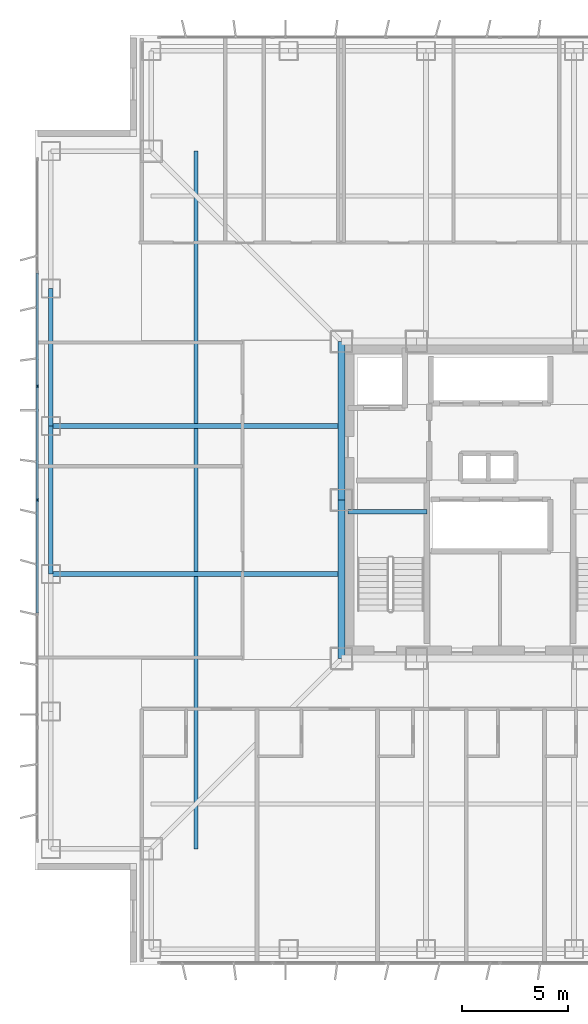
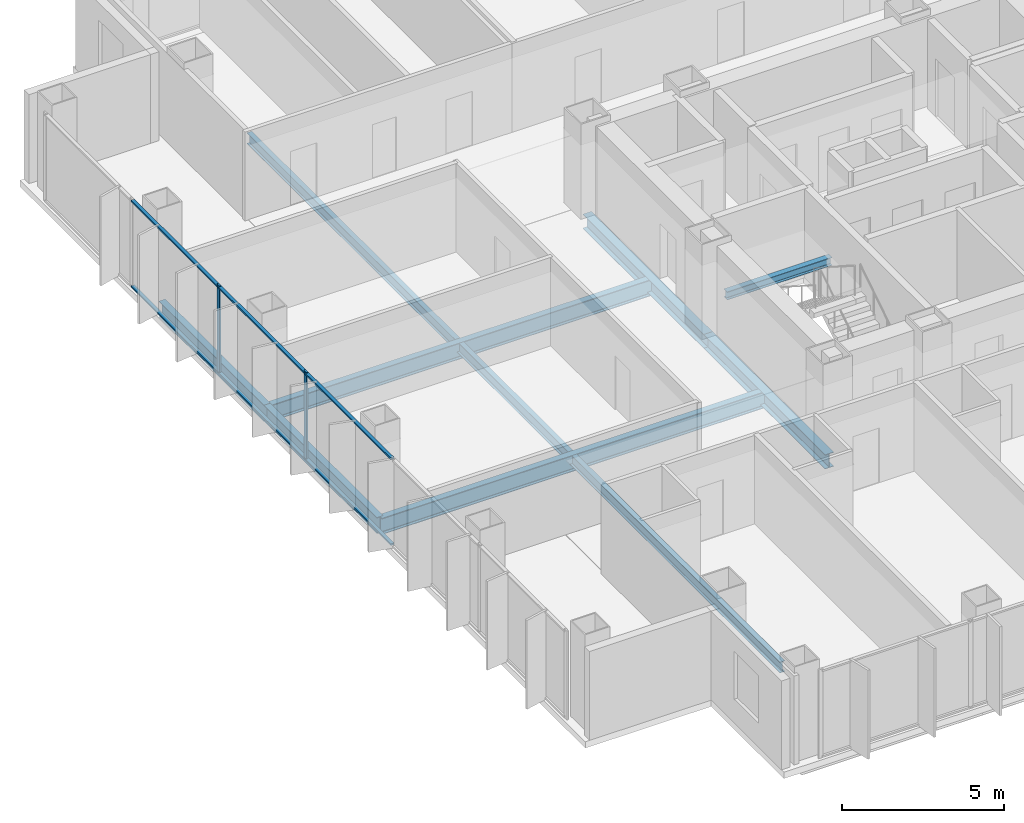
# One storey, part 5 of 18: 8 beams, 8 members, 1 element without a shape of its own.
"""IFC4 building model written with IfcOpenShell, lengths in metres."""

from ifc_helpers import new_model, si_unit, direction, frame, origin, origin_2d, place, context, subcontext, project, spatial, rectangle, i_section, extrude, material, layer, layer_set, material_profile, profile_set, type_object, element, aggregate, save


model = new_model("IFC4")

# Units and contexts
model_context = context("Model", 3, precision=1e-05, world=origin(), true_north=direction((0.0, 1.0)))
body_context = subcontext(model_context, "Body", "Model", "MODEL_VIEW")
ifc_project = project(units=[si_unit("LENGTHUNIT", "METRE"), si_unit("AREAUNIT", "SQUARE_METRE"), si_unit("VOLUMEUNIT", "CUBIC_METRE"), si_unit("PLANEANGLEUNIT", "RADIAN"), si_unit("MASSUNIT", "GRAM", prefix="KILO")], contexts=[model_context])

# Site, building, storey
site_placement = place(None, origin())
site = spatial("IfcSite", under=ifc_project, at=site_placement, CompositionType="ELEMENT")
building_placement = place(site_placement, origin())
building = spatial("IfcBuilding", under=site, at=building_placement, Name="Trevonay Congress Spire", CompositionType="ELEMENT")
storey_placement = place(building_placement, frame((0.0, 0.0, 148.0)))
storey = spatial("IfcBuildingStorey", under=building, at=storey_placement, Name="L38", CompositionType="ELEMENT", Elevation=148.0)

# Beams
ifc_material_1 = material(Name="Steel ASTM A572 Grade 50", Category="steel")
ifc_material_profile_1 = material_profile(ifc_material_1, i_section(OverallWidth=0.31201171875, OverallDepth=0.54296875, WebThickness=0.0126953125, FlangeThickness=0.020263671875, FilletRadius=0.014892578125, at=origin_2d()), Name="W530x150")
ifc_profile_set_1 = profile_set([ifc_material_profile_1], Name="Steel ASTM A572 Grade 50")
beam_type_1 = type_object("IfcBeamType", Name="BM-GIRD-W530X150", PredefinedType="BEAM", material=ifc_profile_set_1)
for number, where, z_axis, x_axis, name in (
    (1, (-7.5, -7.5, -0.511474609375), (0.0, 1.0, 0.0), (-1.0, 0.0, 0.0), "L38 structural beam BM-L38-CR-W1"),
    (2, (-7.5, 0.0, -0.511474609375), (0.0, 1.0, 0.0), (-1.0, 0.0, 0.0), "L38 structural beam BM-L38-CR-W2"),
):
    element("IfcBeam", number, at=place(storey_placement, frame(where, z_axis=z_axis, x_axis=x_axis)), inside=storey, type_object=beam_type_1, Name=name, PredefinedType="BEAM", context=body_context, shape_type="SweptSolid", body=[
        extrude(i_section(OverallWidth=0.31201171875, OverallDepth=0.54296875, WebThickness=0.0126953125, FlangeThickness=0.020263671875, FilletRadius=0.014892578125, at=origin_2d()), origin(), (0.0, 0.0, 1.0), 7.5),
    ])
ifc_material_profile_2 = material_profile(ifc_material_1, i_section(OverallWidth=0.22998046875, OverallDepth=0.616943359375, WebThickness=0.01318359375, FlangeThickness=0.022216796875, FilletRadius=0.01611328125, at=origin_2d()), Name="W610x140")
ifc_profile_set_2 = profile_set([ifc_material_profile_2], Name="Steel ASTM A572 Grade 50")
beam_type_2 = type_object("IfcBeamType", Name="BM-GIRD-W610X140", PredefinedType="BEAM", material=ifc_profile_set_2)
for number, where, z_axis, x_axis, name in (
    (3, (-7.5, -3.5, -0.548583984375), (-1.0, 0.0, 0.0), (0.0, -1.0, 0.0), "L38 structural beam BM-L38-GW-M"),
    (4, (-7.5, 3.5, -0.548583984375), (-1.0, 0.0, 0.0), (0.0, -1.0, 0.0), "L38 structural beam BM-L38-GW-P"),
):
    element("IfcBeam", number, at=place(storey_placement, frame(where, z_axis=z_axis, x_axis=x_axis)), inside=storey, type_object=beam_type_2, Name=name, PredefinedType="BEAM", context=body_context, shape_type="SweptSolid", body=[
        extrude(i_section(OverallWidth=0.22998046875, OverallDepth=0.616943359375, WebThickness=0.01318359375, FlangeThickness=0.022216796875, FilletRadius=0.01611328125, at=origin_2d()), origin(), (0.0, 0.0, 1.0), 13.75),
    ])
ifc_material_profile_3 = material_profile(ifc_material_1, i_section(OverallWidth=0.22802734375, OverallDepth=0.60791015625, WebThickness=0.01123046875, FlangeThickness=0.017333984375, FilletRadius=0.01611328125, at=origin_2d()), Name="W610x113")
ifc_profile_set_3 = profile_set([ifc_material_profile_3], Name="Steel ASTM A572 Grade 50")
beam_type_3 = type_object("IfcBeamType", Name="BM-RING-W610X113", PredefinedType="BEAM", material=ifc_profile_set_3)
beam_1_placement = place(storey_placement, frame((-21.25, -3.5, -0.5439453125), z_axis=(0.0, 1.0, 0.0), x_axis=(-1.0, 0.0, 0.0)))
element("IfcBeam", 5, at=beam_1_placement, inside=storey, type_object=beam_type_3, Name="L38 structural beam BM-L38-PW3", PredefinedType="BEAM", context=body_context, shape_type="SweptSolid", body=[
    extrude(i_section(OverallWidth=0.22802734375, OverallDepth=0.60791015625, WebThickness=0.01123046875, FlangeThickness=0.017333984375, FilletRadius=0.01611328125, at=origin_2d()), origin(), (0.0, 0.0, 1.0), 7.0),
])
beam_2_placement = place(storey_placement, frame((-21.25, 3.5, -0.5439453125), z_axis=(0.0, 1.0, 0.0), x_axis=(-1.0, 0.0, 0.0)))
element("IfcBeam", 6, at=beam_2_placement, inside=storey, type_object=beam_type_3, Name="L38 structural beam BM-L38-PW4", PredefinedType="BEAM", context=body_context, shape_type="SweptSolid", body=[
    extrude(i_section(OverallWidth=0.22802734375, OverallDepth=0.60791015625, WebThickness=0.01123046875, FlangeThickness=0.017333984375, FilletRadius=0.01611328125, at=origin_2d()), origin(), (0.0, 0.0, 1.0), 6.5),
])

# Curtain wall, members
ifc_material_2 = material(Name="Pale Anodised Aluminium EN AW-6063-T6", Category="aluminium")
ifc_layer = layer(ifc_material_2, 0.175048828125, Name="Pale Anodised Aluminium EN AW-6063-T6")
ifc_layer_set = layer_set([ifc_layer], Name="Pale Anodised Aluminium EN AW-6063-T6")
curtain_wall_type = type_object("IfcCurtainWallType", Name="CW-SYS03-CONGRESS-PALE-METAL", PredefinedType="NOTDEFINED", material=ifc_layer_set)
curtain_wall_placement = place(storey_placement, origin())
curtain_wall = element("IfcCurtainWall", 7, at=curtain_wall_placement, inside=storey, type_object=curtain_wall_type, Name="L38 W unitised curtain wall", PredefinedType="NOTDEFINED")
ifc_material_profile_4 = material_profile(ifc_material_2, rectangle(XDim=0.06005859375, YDim=0.159912109375, at=origin_2d()), Name="CW-MULLION-160-ALUMINIUM")
ifc_profile_set_4 = profile_set([ifc_material_profile_4], Name="Pale Anodised Aluminium EN AW-6063-T6")
member_type_1 = type_object("IfcMemberType", Name="CW-MULLION-160-ALUMINIUM", PredefinedType="MULLION", material=ifc_profile_set_4)
member_1_placement = place(storey_placement, frame((-21.8798828125, 0.0, 0.0), z_axis=(0.0, 0.0, 1.0), x_axis=(-1.0, 0.0, 0.0)))
member_1 = element("IfcMember", 8, at=member_1_placement, type_object=member_type_1, Name="CW03 mullion 4", PredefinedType="MULLION", context=body_context, shape_type="SweptSolid", body=[
    extrude(rectangle(XDim=0.06005859375, YDim=0.159912109375, at=origin_2d()), origin(), (0.0, 0.0, 1.0), 3.360107421875),
])
member_2_placement = place(storey_placement, frame((-21.8798828125, 5.38330078125, 0.0), z_axis=(0.0, 0.0, 1.0), x_axis=(-1.0, 0.0, 0.0)))
member_2 = element("IfcMember", 9, at=member_2_placement, type_object=member_type_1, Name="CW03 mullion 5", PredefinedType="MULLION", context=body_context, shape_type="SweptSolid", body=[
    extrude(rectangle(XDim=0.06005859375, YDim=0.159912109375, at=origin_2d()), origin(), (0.0, 0.0, 1.0), 3.360107421875),
])
ifc_material_profile_5 = material_profile(ifc_material_2, rectangle(XDim=0.1201171875, YDim=0.06005859375, at=origin_2d()), Name="CW-TRANSOM-120-ALUMINIUM")
ifc_profile_set_5 = profile_set([ifc_material_profile_5], Name="Pale Anodised Aluminium EN AW-6063-T6")
member_type_2 = type_object("IfcMemberType", Name="CW-TRANSOM-120-ALUMINIUM", PredefinedType="USERDEFINED", material=ifc_profile_set_5)
member_3_placement = place(storey_placement, frame((-21.8798828125, -5.353271484375, 0.06005859375), z_axis=(0.0, 1.0, 0.0), x_axis=(-1.0, 0.0, 0.0)))
member_3 = element("IfcMember", 10, at=member_3_placement, type_object=member_type_2, Name="CW03 transom 3.1", ObjectType="TRANSOM", PredefinedType="USERDEFINED", context=body_context, shape_type="SweptSolid", body=[
    extrude(rectangle(XDim=0.1201171875, YDim=0.06005859375, at=origin_2d()), origin(), (0.0, 0.0, 1.0), 5.3232421875),
])
member_4_placement = place(storey_placement, frame((-21.8798828125, -5.353271484375, 3.300048828125), z_axis=(0.0, 1.0, 0.0), x_axis=(-1.0, 0.0, 0.0)))
member_4 = element("IfcMember", 11, at=member_4_placement, type_object=member_type_2, Name="CW03 transom 3.2", ObjectType="TRANSOM", PredefinedType="USERDEFINED", context=body_context, shape_type="SweptSolid", body=[
    extrude(rectangle(XDim=0.1201171875, YDim=0.06005859375, at=origin_2d()), origin(), (0.0, 0.0, 1.0), 5.3232421875),
])
member_5_placement = place(storey_placement, frame((-21.8798828125, 0.030029296875, 0.06005859375), z_axis=(0.0, 1.0, 0.0), x_axis=(-1.0, 0.0, 0.0)))
member_5 = element("IfcMember", 12, at=member_5_placement, type_object=member_type_2, Name="CW03 transom 4.1", ObjectType="TRANSOM", PredefinedType="USERDEFINED", context=body_context, shape_type="SweptSolid", body=[
    extrude(rectangle(XDim=0.1201171875, YDim=0.06005859375, at=origin_2d()), origin(), (0.0, 0.0, 1.0), 5.3232421875),
])
member_6_placement = place(storey_placement, frame((-21.8798828125, 0.030029296875, 3.300048828125), z_axis=(0.0, 1.0, 0.0), x_axis=(-1.0, 0.0, 0.0)))
member_6 = element("IfcMember", 13, at=member_6_placement, type_object=member_type_2, Name="CW03 transom 4.2", ObjectType="TRANSOM", PredefinedType="USERDEFINED", context=body_context, shape_type="SweptSolid", body=[
    extrude(rectangle(XDim=0.1201171875, YDim=0.06005859375, at=origin_2d()), origin(), (0.0, 0.0, 1.0), 5.3232421875),
])
member_7_placement = place(storey_placement, frame((-21.8798828125, 5.413330078125, 0.06005859375), z_axis=(0.0, 1.0, 0.0), x_axis=(-1.0, 0.0, 0.0)))
member_7 = element("IfcMember", 14, at=member_7_placement, type_object=member_type_2, Name="CW03 transom 5.1", ObjectType="TRANSOM", PredefinedType="USERDEFINED", context=body_context, shape_type="SweptSolid", body=[
    extrude(rectangle(XDim=0.1201171875, YDim=0.06005859375, at=origin_2d()), origin(), (0.0, 0.0, 1.0), 5.3232421875),
])
member_8_placement = place(storey_placement, frame((-21.8798828125, 5.413330078125, 3.300048828125), z_axis=(0.0, 1.0, 0.0), x_axis=(-1.0, 0.0, 0.0)))
member_8 = element("IfcMember", 15, at=member_8_placement, type_object=member_type_2, Name="CW03 transom 5.2", ObjectType="TRANSOM", PredefinedType="USERDEFINED", context=body_context, shape_type="SweptSolid", body=[
    extrude(rectangle(XDim=0.1201171875, YDim=0.06005859375, at=origin_2d()), origin(), (0.0, 0.0, 1.0), 5.3232421875),
])
aggregate(curtain_wall, [member_1, member_2, member_3, member_4, member_5, member_6, member_7, member_8])

# Beams
ifc_material_profile_6 = material_profile(ifc_material_1, i_section(OverallWidth=0.177978515625, OverallDepth=0.406982421875, WebThickness=0.0078125, FlangeThickness=0.0126953125, FilletRadius=0.012939453125, at=origin_2d()), Name="W410x60")
ifc_profile_set_6 = profile_set([ifc_material_profile_6], Name="Steel ASTM A572 Grade 50")
beam_type_4 = type_object("IfcBeamType", Name="JS-COMP-W410X60", PredefinedType="JOIST", material=ifc_profile_set_6)
beam_3_placement = place(storey_placement, frame((-14.375, -16.5, -0.443603515625), z_axis=(0.0, 1.0, 0.0), x_axis=(-1.0, 0.0, 0.0)))
element("IfcBeam", 16, at=beam_3_placement, inside=storey, type_object=beam_type_4, Name="L38 structural beam JS-L38-RING-W", PredefinedType="JOIST", context=body_context, shape_type="SweptSolid", body=[
    extrude(i_section(OverallWidth=0.177978515625, OverallDepth=0.406982421875, WebThickness=0.0078125, FlangeThickness=0.0126953125, FilletRadius=0.012939453125, at=origin_2d()), origin(), (0.0, 0.0, 1.0), 33.0),
])
ifc_material_profile_7 = material_profile(ifc_material_1, i_section(OverallWidth=0.2041015625, OverallDepth=0.305908203125, WebThickness=0.008544921875, FlangeThickness=0.0146484375, FilletRadius=0.010986328125, at=origin_2d()), Name="W310x67")
ifc_profile_set_7 = profile_set([ifc_material_profile_7], Name="Steel ASTM A572 Grade 50")
beam_type_5 = type_object("IfcBeamType", Name="LN-CORE-W310X67", PredefinedType="LINTEL", material=ifc_profile_set_7)
beam_4_placement = place(storey_placement, frame((-7.199951171875, -0.550048828125, 1.447021484375), z_axis=(1.0, 0.0, 0.0), x_axis=(0.0, 1.0, 0.0)))
element("IfcBeam", 17, at=beam_4_placement, inside=storey, type_object=beam_type_5, Name="L38 structural beam BM-L38-HL-ST1", PredefinedType="LINTEL", context=body_context, shape_type="SweptSolid", body=[
    extrude(i_section(OverallWidth=0.2041015625, OverallDepth=0.305908203125, WebThickness=0.008544921875, FlangeThickness=0.0146484375, FilletRadius=0.010986328125, at=origin_2d()), origin(), (0.0, 0.0, 1.0), 3.75),
])

save(model, "model.ifc")
